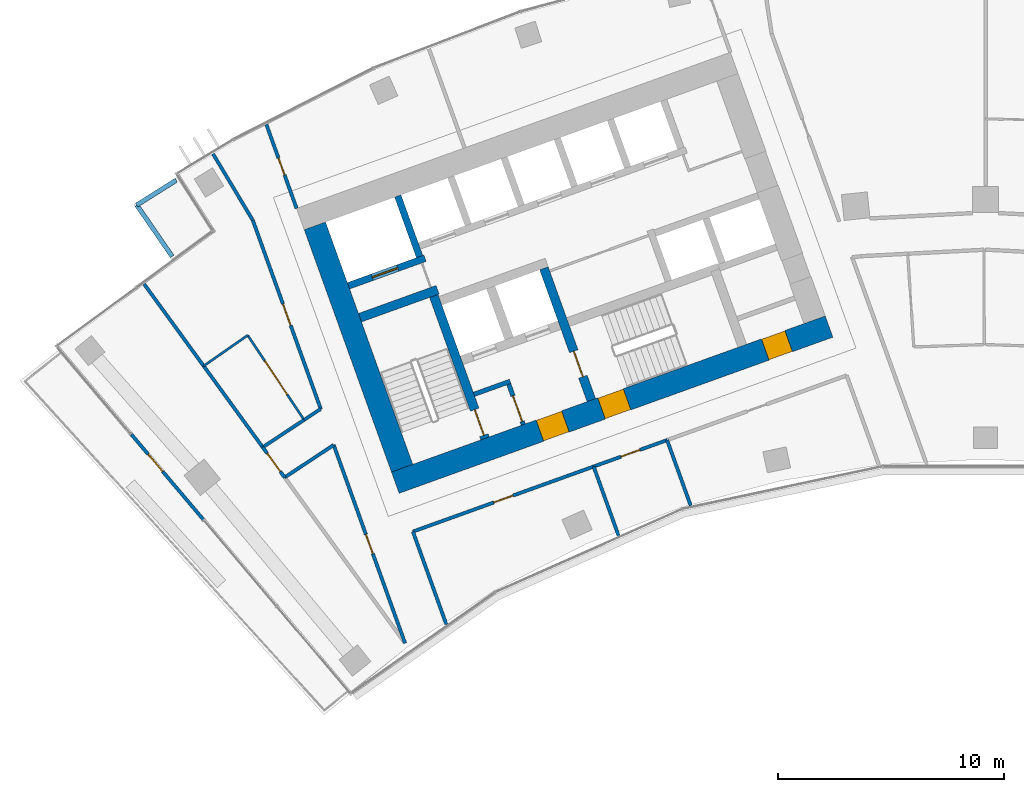
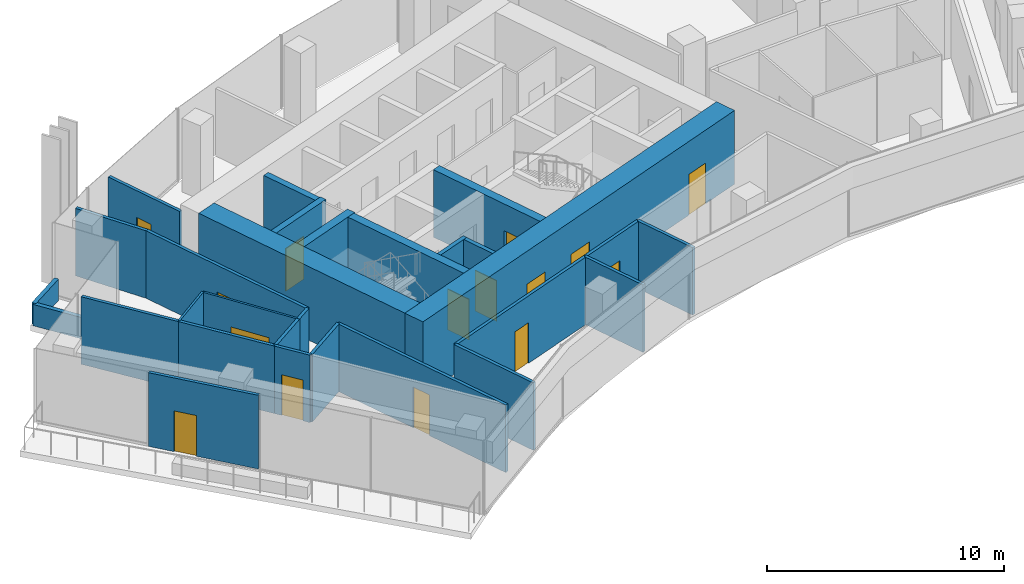
# One storey, part 11 of 18: 29 walls, 15 doors, 15 openings.
"""IFC4 building model written with IfcOpenShell, lengths in metres."""

from ifc_helpers import new_model, si_unit, direction, frame, frame_2d, origin, place, context, subcontext, project, spatial, rectangle, extrude, material, layer, layer_set, type_object, element, fill, save


model = new_model("IFC4")

# Units and contexts
model_context = context("Model", 3, precision=1e-05, world=origin(), true_north=direction((0.0, 1.0)))
body_context = subcontext(model_context, "Body", "Model", "MODEL_VIEW")
ifc_project = project(units=[si_unit("LENGTHUNIT", "METRE"), si_unit("AREAUNIT", "SQUARE_METRE"), si_unit("VOLUMEUNIT", "CUBIC_METRE"), si_unit("PLANEANGLEUNIT", "RADIAN"), si_unit("MASSUNIT", "GRAM", prefix="KILO")], contexts=[model_context])

# Site, building, storey
site_placement = place(None, origin())
site = spatial("IfcSite", under=ifc_project, at=site_placement, CompositionType="ELEMENT")
building_placement = place(site_placement, origin())
building = spatial("IfcBuilding", under=site, at=building_placement, Name="Stone Belt Terrace Tower", CompositionType="ELEMENT")
storey_placement = place(building_placement, frame((0.0, 0.0, 239.0)))
storey = spatial("IfcBuildingStorey", under=building, at=storey_placement, Name="L58", CompositionType="ELEMENT", Elevation=239.0)

# Wall, opening, door
ifc_material_1 = material(Name="Terracotta coloured glazed ceramic", Category="masonry")
ifc_layer_1 = layer(ifc_material_1, 0.14990234375)
ifc_layer_set_1 = layer_set([ifc_layer_1], Name="Ceramic rain-screen wall 150")
wall_type_1 = type_object("IfcWallType", Name="Ceramic rain-screen wall 150", PredefinedType="SOLIDWALL", material=ifc_layer_set_1)
wall_1_placement = place(storey_placement, frame((-37.805908203125, 44.603271484375, 0.0), z_axis=(0.0, 0.0, 1.0), x_axis=(0.645603209133, -0.763673029743, 0.0)))
wall_1 = element("IfcWall", 1, at=wall_1_placement, inside=storey, type_object=wall_type_1, Name="Door wall L58", PredefinedType="SOLIDWALL", context=body_context, shape_type="SweptSolid", body=[
    extrude(rectangle(XDim=4.93994140625, YDim=0.14990234375, at=frame_2d((2.469970703125, 0.0))), origin(), (0.0, 0.0, 1.0), 3.800048828125),
])
opening_1_placement = place(wall_1_placement, frame((1.14990234375, 0.0, 0.0)))
opening_1 = element("IfcOpeningElement", 2, at=opening_1_placement, cuts=wall_1, Name="Opening L58-E01", PredefinedType="OPENING", context=body_context, shape_type="SweptSolid", body=[
    extrude(rectangle(XDim=1.0, YDim=2.10009765625, at=frame_2d((0.5, 1.050048828125))), frame((0.0, 0.0849609375, 0.0), z_axis=(0.0, -1.0, 0.0), x_axis=(1.0, 0.0, 0.0)), (0.0, 0.0, 1.0), 0.169921875),
])
ifc_material_2 = material(Name="Anodised aluminium glazed door", Category="aluminium")
door_type_1 = type_object("IfcDoorType", Name="Terrace door 1000 x 2100", OperationType="NOTDEFINED", PredefinedType="DOOR", material=ifc_material_2)
door_1_placement = place(opening_1_placement, origin())
door_1 = element("IfcDoor", 3, at=door_1_placement, inside=storey, type_object=door_type_1, Name="Terrace door L58", OperationType="SINGLE_SWING_RIGHT", OverallHeight=2.10009765625, OverallWidth=1.0, PredefinedType="DOOR", context=body_context, shape_type="SweptSolid", body=[
    extrude(rectangle(XDim=1.0, YDim=2.10009765625, at=frame_2d((0.5, 1.050048828125))), frame((0.0, 0.02490234375, 0.0), z_axis=(0.0, -1.0, 0.0), x_axis=(1.0, 0.0, 0.0)), (0.0, 0.0, 1.0), 0.050048828125),
])
fill(opening_1, door_1)

# Wall, openings, doors
ifc_material_3 = material(Name="Concrete B60", Category="concrete")
ifc_layer_2 = layer(ifc_material_3, 1.0)
ifc_layer_set_2 = layer_set([ifc_layer_2], Name="Core wall 1000 B60")
wall_type_2 = type_object("IfcWallType", Name="Core wall 1000 B60", PredefinedType="SHEAR", material=ifc_layer_set_2)
wall_2_placement = place(storey_placement, frame((-26.122314453125, 42.462890625, 0.0), z_axis=(0.0, 0.0, 1.0), x_axis=(0.940921428504, 0.338624962727, 0.0)))
wall_2 = element("IfcWall", 4, at=wall_2_placement, inside=storey, type_object=wall_type_2, Name="Core A wall concave L58", PredefinedType="SHEAR", context=body_context, shape_type="SweptSolid", body=[
    extrude(rectangle(XDim=20.400146484375, YDim=1.0, at=frame_2d((10.2001953125, 0.0))), origin(), (0.0, 0.0, 1.0), 3.800048828125),
])
opening_2_placement = place(wall_2_placement, frame((6.800048828125, 0.0, 0.0)))
opening_2 = element("IfcOpeningElement", 5, at=opening_2_placement, cuts=wall_2, Name="Opening L58-C07", PredefinedType="OPENING", context=body_context, shape_type="SweptSolid", body=[
    extrude(rectangle(XDim=1.199951171875, YDim=2.10009765625, at=frame_2d((0.60009765625, 1.050048828125))), frame((0.0, 0.510009765625, 0.0), z_axis=(0.0, -1.0, 0.0), x_axis=(1.0, 0.0, 0.0)), (0.0, 0.0, 1.0), 1.02001953125),
])
opening_3_placement = place(wall_2_placement, frame((9.699951171875, 0.0, 0.0)))
opening_3 = element("IfcOpeningElement", 6, at=opening_3_placement, cuts=wall_2, Name="Opening L58-C09", PredefinedType="OPENING", context=body_context, shape_type="SweptSolid", body=[
    extrude(rectangle(XDim=1.199951171875, YDim=2.10009765625, at=frame_2d((0.60009765625, 1.050048828125))), frame((0.0, 0.510009765625, 0.0), z_axis=(0.0, -1.0, 0.0), x_axis=(1.0, 0.0, 0.0)), (0.0, 0.0, 1.0), 1.02001953125),
])
opening_4_placement = place(wall_2_placement, frame((17.400146484375, 0.0, 0.0)))
opening_4 = element("IfcOpeningElement", 7, at=opening_4_placement, cuts=wall_2, Name="Opening L58-C11", PredefinedType="OPENING", context=body_context, shape_type="SweptSolid", body=[
    extrude(rectangle(XDim=1.10009765625, YDim=2.10009765625, at=frame_2d((0.550048828125, 1.050048828125))), frame((0.0, 0.510009765625, 0.0), z_axis=(0.0, -1.0, 0.0), x_axis=(1.0, 0.0, 0.0)), (0.0, 0.0, 1.0), 1.02001953125),
])
ifc_material_4 = material(Name="Timber door leaf", Category="wood")
door_type_2 = type_object("IfcDoorType", Name="Core room door 1100", OperationType="SINGLE_SWING_LEFT", PredefinedType="DOOR", material=ifc_material_4)
door_2_placement = place(opening_4_placement, origin())
door_2 = element("IfcDoor", 8, at=door_2_placement, inside=storey, type_object=door_type_2, Name="Door to Pipe riser core A", OperationType="SINGLE_SWING_RIGHT", OverallHeight=2.10009765625, OverallWidth=1.10009765625, PredefinedType="DOOR", context=body_context, shape_type="SweptSolid", body=[
    extrude(rectangle(XDim=1.10009765625, YDim=2.10009765625, at=frame_2d((0.550048828125, 1.050048828125))), frame((0.0, 0.47998046875, 0.0), z_axis=(0.0, -1.0, 0.0), x_axis=(1.0, 0.0, 0.0)), (0.0, 0.0, 1.0), 0.9599609375),
])
fill(opening_4, door_2)
ifc_material_5 = material(Name="Steel door leaf", Category="steel")
door_type_3 = type_object("IfcDoorType", Name="Fire-fighting lobby door 1200", OperationType="SINGLE_SWING_LEFT", PredefinedType="DOOR", material=ifc_material_5)
door_3_placement = place(opening_2_placement, origin())
door_3 = element("IfcDoor", 9, at=door_3_placement, inside=storey, type_object=door_type_3, Name="Fire-fighting lobby door core A", OperationType="SINGLE_SWING_RIGHT", OverallHeight=2.10009765625, OverallWidth=1.199951171875, PredefinedType="DOOR", context=body_context, shape_type="SweptSolid", body=[
    extrude(rectangle(XDim=1.199951171875, YDim=2.10009765625, at=frame_2d((0.60009765625, 1.050048828125))), frame((0.0, 0.47998046875, 0.0), z_axis=(0.0, -1.0, 0.0), x_axis=(1.0, 0.0, 0.0)), (0.0, 0.0, 1.0), 0.9599609375),
])
fill(opening_2, door_3)
door_type_4 = type_object("IfcDoorType", Name="Stair door 1200", OperationType="SINGLE_SWING_LEFT", PredefinedType="DOOR", material=ifc_material_5)
door_4_placement = place(opening_3_placement, origin())
door_4 = element("IfcDoor", 10, at=door_4_placement, inside=storey, type_object=door_type_4, Name="Stair 2 exit door core A", OperationType="SINGLE_SWING_LEFT", OverallHeight=2.10009765625, OverallWidth=1.199951171875, PredefinedType="DOOR", context=body_context, shape_type="SweptSolid", body=[
    extrude(rectangle(XDim=1.199951171875, YDim=2.10009765625, at=frame_2d((0.60009765625, 1.050048828125))), frame((0.0, 0.47998046875, 0.0), z_axis=(0.0, -1.0, 0.0), x_axis=(1.0, 0.0, 0.0)), (0.0, 0.0, 1.0), 0.9599609375),
])
fill(opening_3, door_4)

# Wall
wall_3_placement = place(storey_placement, frame((-25.821044921875, 43.102783203125, 0.0), z_axis=(0.0, 0.0, 1.0), x_axis=(-0.338625431531, 0.940921259788, 0.0)))
element("IfcWall", 11, at=wall_3_placement, inside=storey, type_object=wall_type_2, Name="Core A wall end_a L58", PredefinedType="SHEAR", context=body_context, shape_type="SweptSolid", body=[
    extrude(rectangle(XDim=11.400146484375, YDim=1.0, at=frame_2d((5.7001953125, 0.0))), origin(), (0.0, 0.0, 1.0), 3.800048828125),
])

# Wall, opening, door
ifc_material_6 = material(Name="Concrete B80", Category="concrete")
ifc_layer_3 = layer(ifc_material_6, 0.300048828125)
ifc_layer_set_3 = layer_set([ifc_layer_3], Name="Lift shaft wall 300")
wall_type_3 = type_object("IfcWallType", Name="Lift shaft wall 300", PredefinedType="SHEAR", material=ifc_layer_set_3)
wall_4_placement = place(storey_placement, frame((-28.195068359375, 51.17578125, 0.0), z_axis=(0.0, 0.0, 1.0), x_axis=(0.940901243567, 0.338681044427, 0.0)))
wall_4 = element("IfcWall", 12, at=wall_4_placement, inside=storey, type_object=wall_type_3, Name="Core A wall", PredefinedType="SHEAR", context=body_context, shape_type="SweptSolid", body=[
    extrude(rectangle(XDim=3.599853515625, YDim=0.300048828125, at=frame_2d((1.7998046875, 0.0))), origin(), (0.0, 0.0, 1.0), 3.47998046875),
])
opening_5_placement = place(wall_4_placement, frame((1.1201171875, 0.0, 0.0)))
opening_5 = element("IfcOpeningElement", 13, at=opening_5_placement, cuts=wall_4, Name="Opening L58-LD08", PredefinedType="OPENING", context=body_context, shape_type="SweptSolid", body=[
    extrude(rectangle(XDim=1.199951171875, YDim=2.199951171875, at=frame_2d((0.60009765625, 1.10009765625))), frame((0.0, 0.159912109375, 0.0), z_axis=(0.0, -1.0, 0.0), x_axis=(1.0, 0.0, 0.0)), (0.0, 0.0, 1.0), 0.320068359375),
])
ifc_material_7 = material(Name="Stainless steel door leaf", Category="steel")
door_type_5 = type_object("IfcDoorType", Name="Landing door 1200", OperationType="SLIDING_TO_LEFT", PredefinedType="DOOR", material=ifc_material_7)
door_5_placement = place(opening_5_placement, origin())
door_5 = element("IfcDoor", 14, at=door_5_placement, inside=storey, type_object=door_type_5, Name="Landing door SV1 core A", OperationType="SLIDING_TO_LEFT", OverallHeight=2.199951171875, OverallWidth=1.199951171875, PredefinedType="DOOR", context=body_context, shape_type="SweptSolid", body=[
    extrude(rectangle(XDim=1.199951171875, YDim=2.199951171875, at=frame_2d((0.60009765625, 1.10009765625))), frame((0.0, 0.02490234375, 0.0), z_axis=(0.0, -1.0, 0.0), x_axis=(1.0, 0.0, 0.0)), (0.0, 0.0, 1.0), 0.050048828125),
])
fill(opening_5, door_5)

# Wall
wall_5_placement = place(storey_placement, frame((-25.046875, 52.46826171875, 0.0), z_axis=(0.0, 0.0, 1.0), x_axis=(-0.338549588058, 0.940948551423, 0.0)))
element("IfcWall", 15, at=wall_5_placement, inside=storey, type_object=wall_type_3, Name="Core A wall", PredefinedType="SHEAR", context=body_context, shape_type="SweptSolid", body=[
    extrude(rectangle(XDim=2.849853515625, YDim=0.300048828125, at=frame_2d((1.4248046875, 0.0))), origin(), (0.0, 0.0, 1.0), 3.47998046875),
])

# Wall, opening, door
ifc_material_8 = material(Name="Gypsum board partition")
ifc_layer_4 = layer(ifc_material_8, 0.10009765625)
ifc_layer_set_4 = layer_set([ifc_layer_4], Name="PARTITION 100")
wall_type_4 = type_object("IfcWallType", Name="PARTITION 100", PredefinedType="PARTITIONING", material=ifc_layer_set_4)
wall_6_placement = place(storey_placement, frame((-30.159912109375, 45.240966796875, 0.0), z_axis=(0.0, 0.0, 1.0), x_axis=(-0.554700196225, 0.832050294338, 0.0)))
wall_6 = element("IfcWall", 16, at=wall_6_placement, inside=storey, type_object=wall_type_4, Name="L58/wall/i042", PredefinedType="PARTITIONING", context=body_context, shape_type="SweptSolid", body=[
    extrude(rectangle(XDim=4.5, YDim=0.10009765625, at=frame_2d((2.25, 0.0))), origin(), (0.0, 0.0, 1.0), 3.47998046875),
])
opening_6_placement = place(wall_6_placement, frame((1.349853515625, 0.0, 0.0)))
opening_6 = element("IfcOpeningElement", 17, at=opening_6_placement, cuts=wall_6, Name="Opening D-D5-14", PredefinedType="OPENING", context=body_context, shape_type="SweptSolid", body=[
    extrude(rectangle(XDim=1.800048828125, YDim=2.10009765625, at=frame_2d((0.89990234375, 1.050048828125))), frame((0.0, 0.06005859375, 0.0), z_axis=(0.0, -1.0, 0.0), x_axis=(1.0, 0.0, 0.0)), (0.0, 0.0, 1.0), 0.1201171875),
])
door_type_6 = type_object("IfcDoorType", Name="DOUBLE DOOR 1800 X 2100", OperationType="DOUBLE_DOOR_SINGLE_SWING", PredefinedType="DOOR", material=ifc_material_4)
door_6_placement = place(opening_6_placement, origin())
door_6 = element("IfcDoor", 18, at=door_6_placement, inside=storey, type_object=door_type_6, Name="L58/door/i14", OperationType="DOUBLE_DOOR_SINGLE_SWING", OverallHeight=2.10009765625, OverallWidth=1.800048828125, PredefinedType="DOOR", context=body_context, shape_type="SweptSolid", body=[
    extrude(rectangle(XDim=1.800048828125, YDim=2.10009765625, at=frame_2d((0.89990234375, 1.050048828125))), frame((0.0, 0.02490234375, 0.0), z_axis=(0.0, -1.0, 0.0), x_axis=(1.0, 0.0, 0.0)), (0.0, 0.0, 1.0), 0.050048828125),
])
fill(opening_6, door_6)

# Walls
wall_7_placement = place(storey_placement, frame((-32.656005859375, 48.985107421875, 0.0), z_axis=(0.0, 0.0, 1.0), x_axis=(-0.820500477686, -0.571645839762, 0.0)))
element("IfcWall", 19, at=wall_7_placement, inside=storey, type_object=wall_type_4, Name="L58/wall/i043", PredefinedType="PARTITIONING", context=body_context, shape_type="SweptSolid", body=[
    extrude(rectangle(XDim=2.374267578125, YDim=0.10009765625, at=frame_2d((1.18701171875, 0.0))), origin(), (0.0, 0.0, 1.0), 3.47998046875),
])
ifc_layer_5 = layer(ifc_material_8, 0.14990234375)
ifc_layer_set_5 = layer_set([ifc_layer_5], Name="PARTITION 150 EI 60")
wall_type_5 = type_object("IfcWallType", Name="PARTITION 150 EI 60", PredefinedType="PARTITIONING", material=ifc_layer_set_5)
wall_8_placement = place(storey_placement, frame((-25.344970703125, 40.304931640625, 0.0), z_axis=(0.0, 0.0, 1.0), x_axis=(0.338646383094, -0.940913719327, 0.0)))
element("IfcWall", 20, at=wall_8_placement, inside=storey, type_object=wall_type_5, Name="L58/wall/i001", PredefinedType="PARTITIONING", context=body_context, shape_type="SweptSolid", body=[
    extrude(rectangle(XDim=4.376708984375, YDim=0.14990234375, at=frame_2d((2.1884765625, 0.0))), origin(), (0.0, 0.0, 1.0), 3.47998046875),
])

# Wall, opening, door
wall_9_placement = place(storey_placement, frame((-31.826904296875, 58.31298828125, 0.0), z_axis=(0.0, 0.0, 1.0), x_axis=(0.338640575491, -0.940915809534, 0.0)))
wall_9 = element("IfcWall", 21, at=wall_9_placement, inside=storey, type_object=wall_type_5, Name="L58/wall/i002", PredefinedType="PARTITIONING", context=body_context, shape_type="SweptSolid", body=[
    extrude(rectangle(XDim=3.945068359375, YDim=0.14990234375, at=frame_2d((1.97265625, 0.0))), origin(), (0.0, 0.0, 1.0), 3.47998046875),
])
opening_7_placement = place(wall_9_placement, frame((1.572509765625, 0.0, 0.0)))
opening_7 = element("IfcOpeningElement", 22, at=opening_7_placement, cuts=wall_9, Name="Opening D-D5-04", PredefinedType="OPENING", context=body_context, shape_type="SweptSolid", body=[
    extrude(rectangle(XDim=0.800048828125, YDim=2.10009765625, at=frame_2d((0.39990234375, 1.050048828125))), frame((0.0, 0.0849609375, 0.0), z_axis=(0.0, -1.0, 0.0), x_axis=(1.0, 0.0, 0.0)), (0.0, 0.0, 1.0), 0.169921875),
])
door_type_7 = type_object("IfcDoorType", Name="STORE DOOR 800 X 2100", OperationType="NOTDEFINED", PredefinedType="DOOR", material=ifc_material_4)
door_7_placement = place(opening_7_placement, origin())
door_7 = element("IfcDoor", 23, at=door_7_placement, inside=storey, type_object=door_type_7, Name="L58/door/i04", OperationType="SINGLE_SWING_LEFT", OverallHeight=2.10009765625, OverallWidth=0.800048828125, PredefinedType="DOOR", context=body_context, shape_type="SweptSolid", body=[
    extrude(rectangle(XDim=0.800048828125, YDim=2.10009765625, at=frame_2d((0.39990234375, 1.050048828125))), frame((0.0, 0.02490234375, 0.0), z_axis=(0.0, -1.0, 0.0), x_axis=(1.0, 0.0, 0.0)), (0.0, 0.0, 1.0), 0.050048828125),
])
fill(opening_7, door_7)

wall_10_placement = place(storey_placement, frame((-25.69091796875, 35.35791015625, 0.0), z_axis=(0.0, 0.0, 1.0), x_axis=(-0.338657394617, 0.940909756072, 0.0)))
wall_10 = element("IfcWall", 24, at=wall_10_placement, inside=storey, type_object=wall_type_5, Name="L58/wall/i003", PredefinedType="PARTITIONING", context=body_context, shape_type="SweptSolid", body=[
    extrude(rectangle(XDim=9.33154296875, YDim=0.14990234375, at=frame_2d((4.665771484375, 0.0))), origin(), (0.0, 0.0, 1.0), 3.47998046875),
])
opening_8_placement = place(wall_10_placement, frame((4.215576171875, 0.0, 0.0)))
opening_8 = element("IfcOpeningElement", 25, at=opening_8_placement, cuts=wall_10, Name="Opening D-D5-12", PredefinedType="OPENING", context=body_context, shape_type="SweptSolid", body=[
    extrude(rectangle(XDim=0.89990234375, YDim=2.10009765625, at=frame_2d((0.449951171875, 1.050048828125))), frame((0.0, 0.0849609375, 0.0), z_axis=(0.0, -1.0, 0.0), x_axis=(1.0, 0.0, 0.0)), (0.0, 0.0, 1.0), 0.169921875),
])
door_type_8 = type_object("IfcDoorType", Name="OFFICE DOOR 900 X 2100", OperationType="NOTDEFINED", PredefinedType="DOOR", material=ifc_material_4)
door_8_placement = place(opening_8_placement, origin())
door_8 = element("IfcDoor", 26, at=door_8_placement, inside=storey, type_object=door_type_8, Name="L58/door/i12", OperationType="SINGLE_SWING_RIGHT", OverallHeight=2.10009765625, OverallWidth=0.89990234375, PredefinedType="DOOR", context=body_context, shape_type="SweptSolid", body=[
    extrude(rectangle(XDim=0.89990234375, YDim=2.10009765625, at=frame_2d((0.449951171875, 1.050048828125))), frame((0.0, 0.02490234375, 0.0), z_axis=(0.0, -1.0, 0.0), x_axis=(1.0, 0.0, 0.0)), (0.0, 0.0, 1.0), 0.050048828125),
])
fill(opening_8, door_8)

wall_11_placement = place(storey_placement, frame((-29.4208984375, 45.721923828125, 0.0), z_axis=(0.0, 0.0, 1.0), x_axis=(-0.338710707115, 0.94089056584, 0.0)))
wall_11 = element("IfcWall", 27, at=wall_11_placement, inside=storey, type_object=wall_type_5, Name="L58/wall/i004", PredefinedType="PARTITIONING", context=body_context, shape_type="SweptSolid", body=[
    extrude(rectangle(XDim=8.880859375, YDim=0.14990234375, at=frame_2d((4.4404296875, 0.0))), origin(), (0.0, 0.0, 1.0), 3.47998046875),
])
opening_9_placement = place(wall_11_placement, frame((3.9404296875, 0.0, 0.0)))
opening_9 = element("IfcOpeningElement", 28, at=opening_9_placement, cuts=wall_11, Name="Opening D-D5-13", PredefinedType="OPENING", context=body_context, shape_type="SweptSolid", body=[
    extrude(rectangle(XDim=1.0, YDim=2.10009765625, at=frame_2d((0.5, 1.050048828125))), frame((0.0, 0.0849609375, 0.0), z_axis=(0.0, -1.0, 0.0), x_axis=(1.0, 0.0, 0.0)), (0.0, 0.0, 1.0), 0.169921875),
])
ifc_material_9 = material(Name="Timber fire door leaf", Category="wood")
door_type_9 = type_object("IfcDoorType", Name="TENANCY ENTRANCE DOOR 1000 X 2100", OperationType="NOTDEFINED", PredefinedType="DOOR", material=ifc_material_9)
door_9_placement = place(opening_9_placement, origin())
door_9 = element("IfcDoor", 29, at=door_9_placement, inside=storey, type_object=door_type_9, Name="L58/door/i13", OperationType="SINGLE_SWING_RIGHT", OverallHeight=2.10009765625, OverallWidth=1.0, PredefinedType="DOOR", context=body_context, shape_type="SweptSolid", body=[
    extrude(rectangle(XDim=1.0, YDim=2.10009765625, at=frame_2d((0.5, 1.050048828125))), frame((0.0, 0.02490234375, 0.0), z_axis=(0.0, -1.0, 0.0), x_axis=(1.0, 0.0, 0.0)), (0.0, 0.0, 1.0), 0.050048828125),
])
fill(opening_9, door_9)

# Wall
wall_12_placement = place(storey_placement, frame((-32.428955078125, 54.077880859375, 0.0), z_axis=(0.0, 0.0, 1.0), x_axis=(-0.514254922229, 0.857637379644, 0.0)))
element("IfcWall", 30, at=wall_12_placement, inside=storey, type_object=wall_type_5, Name="L58/wall/i005", PredefinedType="PARTITIONING", context=body_context, shape_type="SweptSolid", body=[
    extrude(rectangle(XDim=3.42919921875, YDim=0.14990234375, at=frame_2d((1.714599609375, 0.0))), origin(), (0.0, 0.0, 1.0), 3.47998046875),
])

# Wall, opening, door
wall_13_placement = place(storey_placement, frame((-17.337890625, 43.179931640625, 0.0), z_axis=(0.0, 0.0, 1.0), x_axis=(-0.940924353827, -0.338616834157, 0.0)))
wall_13 = element("IfcWall", 31, at=wall_13_placement, inside=storey, type_object=wall_type_5, Name="L58/wall/i011", PredefinedType="PARTITIONING", context=body_context, shape_type="SweptSolid", body=[
    extrude(rectangle(XDim=8.5078125, YDim=0.14990234375, at=frame_2d((4.25390625, 0.0))), origin(), (0.0, 0.0, 1.0), 3.47998046875),
])
opening_10_placement = place(wall_13_placement, frame((3.8037109375, 0.0, 0.0)))
opening_10 = element("IfcOpeningElement", 32, at=opening_10_placement, cuts=wall_13, Name="Opening D-D5-01", PredefinedType="OPENING", context=body_context, shape_type="SweptSolid", body=[
    extrude(rectangle(XDim=0.89990234375, YDim=2.10009765625, at=frame_2d((0.449951171875, 1.050048828125))), frame((0.0, 0.0849609375, 0.0), z_axis=(0.0, -1.0, 0.0), x_axis=(1.0, 0.0, 0.0)), (0.0, 0.0, 1.0), 0.169921875),
])
door_10_placement = place(opening_10_placement, origin())
door_10 = element("IfcDoor", 33, at=door_10_placement, inside=storey, type_object=door_type_8, Name="L58/door/i01", OperationType="SINGLE_SWING_RIGHT", OverallHeight=2.10009765625, OverallWidth=0.89990234375, PredefinedType="DOOR", context=body_context, shape_type="SweptSolid", body=[
    extrude(rectangle(XDim=0.89990234375, YDim=2.10009765625, at=frame_2d((0.449951171875, 1.050048828125))), frame((0.0, 0.02490234375, 0.0), z_axis=(0.0, -1.0, 0.0), x_axis=(1.0, 0.0, 0.0)), (0.0, 0.0, 1.0), 0.050048828125),
])
fill(opening_10, door_10)

wall_14_placement = place(storey_placement, frame((-14.087890625, 44.35009765625, 0.0), z_axis=(0.0, 0.0, 1.0), x_axis=(-0.940917031446, -0.338637180379, 0.0)))
wall_14 = element("IfcWall", 34, at=wall_14_placement, inside=storey, type_object=wall_type_5, Name="L58/wall/i012", PredefinedType="PARTITIONING", context=body_context, shape_type="SweptSolid", body=[
    extrude(rectangle(XDim=3.467041015625, YDim=0.14990234375, at=frame_2d((1.7333984375, 0.0))), origin(), (0.0, 0.0, 1.0), 3.47998046875),
])
opening_11_placement = place(wall_14_placement, frame((1.283447265625, 0.0, 0.0)))
opening_11 = element("IfcOpeningElement", 35, at=opening_11_placement, cuts=wall_14, Name="Opening D-D5-02", PredefinedType="OPENING", context=body_context, shape_type="SweptSolid", body=[
    extrude(rectangle(XDim=0.89990234375, YDim=2.10009765625, at=frame_2d((0.449951171875, 1.050048828125))), frame((0.0, 0.0849609375, 0.0), z_axis=(0.0, -1.0, 0.0), x_axis=(1.0, 0.0, 0.0)), (0.0, 0.0, 1.0), 0.169921875),
])
door_11_placement = place(opening_11_placement, origin())
door_11 = element("IfcDoor", 36, at=door_11_placement, inside=storey, type_object=door_type_8, Name="L58/door/i02", OperationType="SINGLE_SWING_RIGHT", OverallHeight=2.10009765625, OverallWidth=0.89990234375, PredefinedType="DOOR", context=body_context, shape_type="SweptSolid", body=[
    extrude(rectangle(XDim=0.89990234375, YDim=2.10009765625, at=frame_2d((0.449951171875, 1.050048828125))), frame((0.0, 0.02490234375, 0.0), z_axis=(0.0, -1.0, 0.0), x_axis=(1.0, 0.0, 0.0)), (0.0, 0.0, 1.0), 0.050048828125),
])
fill(opening_11, door_11)

# Walls
wall_15_placement = place(storey_placement, frame((-17.343994140625, 43.177978515625, 0.0), z_axis=(0.0, 0.0, 1.0), x_axis=(0.338631589887, -0.940919043452, 0.0)))
element("IfcWall", 37, at=wall_15_placement, inside=storey, type_object=wall_type_5, Name="L58/wall/i014", PredefinedType="PARTITIONING", context=body_context, shape_type="SweptSolid", body=[
    extrude(rectangle(XDim=3.24658203125, YDim=0.14990234375, at=frame_2d((1.623291015625, 0.0))), origin(), (0.0, 0.0, 1.0), 3.47998046875),
])
wall_16_placement = place(storey_placement, frame((-14.093994140625, 44.347900390625, 0.0), z_axis=(0.0, 0.0, 1.0), x_axis=(0.3387588166, -0.940873245542, 0.0)))
element("IfcWall", 38, at=wall_16_placement, inside=storey, type_object=wall_type_5, Name="L58/wall/i015", PredefinedType="PARTITIONING", context=body_context, shape_type="SweptSolid", body=[
    extrude(rectangle(XDim=3.075927734375, YDim=0.14990234375, at=frame_2d((1.5380859375, 0.0))), origin(), (0.0, 0.0, 1.0), 3.47998046875),
])

# Wall, opening, door
wall_17_placement = place(storey_placement, frame((-31.01708984375, 42.69091796875, 0.0), z_axis=(0.0, 0.0, 1.0), x_axis=(-0.587254038937, 0.809402677134, 0.0)))
wall_17 = element("IfcWall", 39, at=wall_17_placement, inside=storey, type_object=wall_type_5, Name="L58/wall/i035", PredefinedType="PARTITIONING", context=body_context, shape_type="SweptSolid", body=[
    extrude(rectangle(XDim=1.66162109375, YDim=0.14990234375, at=frame_2d((0.830810546875, 0.0))), origin(), (0.0, 0.0, 1.0), 3.47998046875),
])
opening_12_placement = place(wall_17_placement, frame((0.330810546875, 0.0, 0.0)))
opening_12 = element("IfcOpeningElement", 40, at=opening_12_placement, cuts=wall_17, Name="Opening D-D5-11", PredefinedType="OPENING", context=body_context, shape_type="SweptSolid", body=[
    extrude(rectangle(XDim=1.0, YDim=2.10009765625, at=frame_2d((0.5, 1.050048828125))), frame((0.0, 0.0849609375, 0.0), z_axis=(0.0, -1.0, 0.0), x_axis=(1.0, 0.0, 0.0)), (0.0, 0.0, 1.0), 0.169921875),
])
door_12_placement = place(opening_12_placement, origin())
door_12 = element("IfcDoor", 41, at=door_12_placement, inside=storey, type_object=door_type_9, Name="L58/door/i11", OperationType="SINGLE_SWING_RIGHT", OverallHeight=2.10009765625, OverallWidth=1.0, PredefinedType="DOOR", context=body_context, shape_type="SweptSolid", body=[
    extrude(rectangle(XDim=1.0, YDim=2.10009765625, at=frame_2d((0.5, 1.050048828125))), frame((0.0, 0.02490234375, 0.0), z_axis=(0.0, -1.0, 0.0), x_axis=(1.0, 0.0, 0.0)), (0.0, 0.0, 1.0), 0.050048828125),
])
fill(opening_12, door_12)

# Walls
wall_18_placement = place(storey_placement, frame((-37.23876953125, 51.2548828125, 0.0), z_axis=(0.0, 0.0, 1.0), x_axis=(0.587783591911, -0.80901820071, 0.0)))
element("IfcWall", 42, at=wall_18_placement, inside=storey, type_object=wall_type_5, Name="L58/wall/i037", PredefinedType="PARTITIONING", context=body_context, shape_type="SweptSolid", body=[
    extrude(rectangle(XDim=4.4892578125, YDim=0.14990234375, at=frame_2d((2.24462890625, 0.0))), origin(), (0.0, 0.0, 1.0), 3.47998046875),
])
wall_19_placement = place(storey_placement, frame((-34.60693359375, 47.633056640625, 0.0), z_axis=(0.0, 0.0, 1.0), x_axis=(0.587653851754, -0.809112446153, 0.0)))
element("IfcWall", 43, at=wall_19_placement, inside=storey, type_object=wall_type_5, Name="L58/wall/i038", PredefinedType="PARTITIONING", context=body_context, shape_type="SweptSolid", body=[
    extrude(rectangle(XDim=4.458251953125, YDim=0.14990234375, at=frame_2d((2.22900390625, 0.0))), origin(), (0.0, 0.0, 1.0), 3.47998046875),
])
wall_20_placement = place(storey_placement, frame((-28.84912109375, 44.132080078125, 0.0), z_axis=(0.0, 0.0, 1.0), x_axis=(-0.834036299229, -0.551709571757, 0.0)))
element("IfcWall", 44, at=wall_20_placement, inside=storey, type_object=wall_type_5, Name="L58/wall/i039", PredefinedType="PARTITIONING", context=body_context, shape_type="SweptSolid", body=[
    extrude(rectangle(XDim=2.602783203125, YDim=0.14990234375, at=frame_2d((1.30126953125, 0.0))), origin(), (0.0, 0.0, 1.0), 3.47998046875),
])
wall_21_placement = place(storey_placement, frame((-30.1650390625, 45.238037109375, 0.0), z_axis=(0.0, 0.0, 1.0), x_axis=(0.834450315491, 0.551083179727, 0.0)))
element("IfcWall", 45, at=wall_21_placement, inside=storey, type_object=wall_type_5, Name="L58/wall/i040", PredefinedType="PARTITIONING", context=body_context, shape_type="SweptSolid", body=[
    extrude(rectangle(XDim=0.88916015625, YDim=0.14990234375, at=frame_2d((0.444580078125, 0.0))), origin(), (0.0, 0.0, 1.0), 3.47998046875),
])
wall_22_placement = place(storey_placement, frame((-31.989990234375, 44.031005859375, 0.0), z_axis=(0.0, 0.0, 1.0), x_axis=(0.834229559366, 0.551417303211, 0.0)))
element("IfcWall", 46, at=wall_22_placement, inside=storey, type_object=wall_type_5, Name="L58/wall/i041", PredefinedType="PARTITIONING", context=body_context, shape_type="SweptSolid", body=[
    extrude(rectangle(XDim=2.19970703125, YDim=0.14990234375, at=frame_2d((1.099853515625, 0.0))), origin(), (0.0, 0.0, 1.0), 3.47998046875),
])
ifc_material_10 = material(Name="Concrete masonry block", Category="masonry")
ifc_layer_6 = layer(ifc_material_10, 0.199951171875)
ifc_layer_set_6 = layer_set([ifc_layer_6], Name="Rated lobby wall 200")
wall_type_6 = type_object("IfcWallType", Name="Rated lobby wall 200", PredefinedType="PARTITIONING", material=ifc_layer_set_6)
wall_23_placement = place(storey_placement, frame((-22.640625, 46.373046875, 0.0), z_axis=(0.0, 0.0, 1.0), x_axis=(0.940966110313, 0.338500781747, 0.0)))
element("IfcWall", 47, at=wall_23_placement, inside=storey, type_object=wall_type_6, Name="Core A wall", PredefinedType="PARTITIONING", context=body_context, shape_type="SweptSolid", body=[
    extrude(rectangle(XDim=1.699951171875, YDim=0.199951171875, at=frame_2d((0.85009765625, 0.0))), origin(), (0.0, 0.0, 1.0), 3.47998046875),
])

# Wall, opening, door
wall_24_placement = place(storey_placement, frame((-20.4580078125, 45.032958984375, 0.0), z_axis=(0.0, 0.0, 1.0), x_axis=(-0.338573865316, 0.940939816208, 0.0)))
wall_24 = element("IfcWall", 48, at=wall_24_placement, inside=storey, type_object=wall_type_6, Name="Core A wall", PredefinedType="PARTITIONING", context=body_context, shape_type="SweptSolid", body=[
    extrude(rectangle(XDim=1.900146484375, YDim=0.199951171875, at=frame_2d((0.9501953125, 0.0))), origin(), (0.0, 0.0, 1.0), 3.47998046875),
])
opening_13_placement = place(wall_24_placement, frame((0.14990234375, 0.0, 0.0)))
opening_13 = element("IfcOpeningElement", 49, at=opening_13_placement, cuts=wall_24, Name="Opening L58-C06", PredefinedType="OPENING", context=body_context, shape_type="SweptSolid", body=[
    extrude(rectangle(XDim=1.199951171875, YDim=2.10009765625, at=frame_2d((0.60009765625, 1.050048828125))), frame((0.0, 0.10986328125, 0.0), z_axis=(0.0, -1.0, 0.0), x_axis=(1.0, 0.0, 0.0)), (0.0, 0.0, 1.0), 0.219970703125),
])
door_13_placement = place(opening_13_placement, origin())
door_13 = element("IfcDoor", 50, at=door_13_placement, inside=storey, type_object=door_type_4, Name="Stair airlock door core A", OperationType="SINGLE_SWING_RIGHT", OverallHeight=2.10009765625, OverallWidth=1.199951171875, PredefinedType="DOOR", context=body_context, shape_type="SweptSolid", body=[
    extrude(rectangle(XDim=1.199951171875, YDim=2.10009765625, at=frame_2d((0.60009765625, 1.050048828125))), frame((0.0, 0.02490234375, 0.0), z_axis=(0.0, -1.0, 0.0), x_axis=(1.0, 0.0, 0.0)), (0.0, 0.0, 1.0), 0.050048828125),
])
fill(opening_13, door_13)

# Walls
ifc_material_11 = material(Name="Precast concrete C40/50", Category="concrete")
ifc_layer_7 = layer(ifc_material_11, 0.199951171875)
ifc_layer_set_7 = layer_set([ifc_layer_7], Name="Roof parapet 200 x 1100")
wall_type_7 = type_object("IfcWallType", Name="Roof parapet 200 x 1100", PredefinedType="PARAPET", material=ifc_layer_set_7)
wall_25_placement = place(storey_placement, frame((-37.563232421875, 54.748779296875, 0.0), z_axis=(0.0, 0.0, 1.0), x_axis=(0.567002262585, -0.823716234041, 0.0)))
element("IfcWall", 51, at=wall_25_placement, inside=storey, type_object=wall_type_7, Name="PARAPET L58", PredefinedType="PARAPET", context=body_context, shape_type="SweptSolid", body=[
    extrude(rectangle(XDim=2.757080078125, YDim=0.199951171875, at=frame_2d((1.37841796875, 0.0))), origin(), (0.0, 0.0, 1.0), 1.10009765625),
])
wall_26_placement = place(storey_placement, frame((-35.818115234375, 55.850830078125, 0.0), z_axis=(0.0, 0.0, 1.0), x_axis=(-0.845517009713, -0.533948486548, 0.0)))
element("IfcWall", 52, at=wall_26_placement, inside=storey, type_object=wall_type_7, Name="PARAPET L58", PredefinedType="PARAPET", context=body_context, shape_type="SweptSolid", body=[
    extrude(rectangle(XDim=2.06396484375, YDim=0.199951171875, at=frame_2d((1.031982421875, 0.0))), origin(), (0.0, 0.0, 1.0), 1.10009765625),
])
ifc_layer_8 = layer(ifc_material_6, 0.39990234375)
ifc_layer_set_8 = layer_set([ifc_layer_8], Name="Stair enclosure wall 400")
wall_type_8 = type_object("IfcWallType", Name="Stair enclosure wall 400", PredefinedType="SHEAR", material=ifc_layer_set_8)
wall_27_placement = place(storey_placement, frame((-27.687255859375, 49.764404296875, 0.0), z_axis=(0.0, 0.0, 1.0), x_axis=(0.940918954884, 0.338631835981, 0.0)))
element("IfcWall", 53, at=wall_27_placement, inside=storey, type_object=wall_type_8, Name="Core A wall", PredefinedType="SHEAR", context=body_context, shape_type="SweptSolid", body=[
    extrude(rectangle(XDim=3.650146484375, YDim=0.39990234375, at=frame_2d((1.8251953125, 0.0))), origin(), (0.0, 0.0, 1.0), 3.47998046875),
])

# Wall, opening, door
wall_28_placement = place(storey_placement, frame((-22.151611328125, 44.42333984375, 0.0), z_axis=(0.0, 0.0, 1.0), x_axis=(-0.338625272931, 0.940921316866, 0.0)))
wall_28 = element("IfcWall", 54, at=wall_28_placement, inside=storey, type_object=wall_type_8, Name="Core A wall", PredefinedType="SHEAR", context=body_context, shape_type="SweptSolid", body=[
    extrude(rectangle(XDim=6.699951171875, YDim=0.39990234375, at=frame_2d((3.35009765625, 0.0))), origin(), (0.0, 0.0, 1.0), 3.47998046875),
])
opening_14_placement = place(wall_28_placement, frame((0.14990234375, 0.0, 0.0)))
opening_14 = element("IfcOpeningElement", 55, at=opening_14_placement, cuts=wall_28, Name="Opening L58-C05", PredefinedType="OPENING", context=body_context, shape_type="SweptSolid", body=[
    extrude(rectangle(XDim=1.199951171875, YDim=2.10009765625, at=frame_2d((0.60009765625, 1.050048828125))), frame((0.0, 0.2099609375, 0.0), z_axis=(0.0, -1.0, 0.0), x_axis=(1.0, 0.0, 0.0)), (0.0, 0.0, 1.0), 0.419921875),
])
door_14_placement = place(opening_14_placement, origin())
door_14 = element("IfcDoor", 56, at=door_14_placement, inside=storey, type_object=door_type_4, Name="Stair 1 door core A", OperationType="SINGLE_SWING_RIGHT", OverallHeight=2.10009765625, OverallWidth=1.199951171875, PredefinedType="DOOR", context=body_context, shape_type="SweptSolid", body=[
    extrude(rectangle(XDim=1.199951171875, YDim=2.10009765625, at=frame_2d((0.60009765625, 1.050048828125))), frame((0.0, 0.02490234375, 0.0), z_axis=(0.0, -1.0, 0.0), x_axis=(1.0, 0.0, 0.0)), (0.0, 0.0, 1.0), 0.050048828125),
])
fill(opening_14, door_14)

wall_29_placement = place(storey_placement, frame((-17.447021484375, 46.116455078125, 0.0), z_axis=(0.0, 0.0, 1.0), x_axis=(-0.33860791464, 0.940927563707, 0.0)))
wall_29 = element("IfcWall", 57, at=wall_29_placement, inside=storey, type_object=wall_type_8, Name="Core A wall", PredefinedType="SHEAR", context=body_context, shape_type="SweptSolid", body=[
    extrude(rectangle(XDim=6.199951171875, YDim=0.39990234375, at=frame_2d((3.10009765625, 0.0))), origin(), (0.0, 0.0, 1.0), 3.47998046875),
])
opening_15_placement = place(wall_29_placement, frame((1.10009765625, 0.0, 0.0)))
opening_15 = element("IfcOpeningElement", 58, at=opening_15_placement, cuts=wall_29, Name="Opening L58-C08", PredefinedType="OPENING", context=body_context, shape_type="SweptSolid", body=[
    extrude(rectangle(XDim=1.199951171875, YDim=2.10009765625, at=frame_2d((0.60009765625, 1.050048828125))), frame((0.0, 0.2099609375, 0.0), z_axis=(0.0, -1.0, 0.0), x_axis=(1.0, 0.0, 0.0)), (0.0, 0.0, 1.0), 0.419921875),
])
door_15_placement = place(opening_15_placement, origin())
door_15 = element("IfcDoor", 59, at=door_15_placement, inside=storey, type_object=door_type_4, Name="Stair 2 door core A", OperationType="SINGLE_SWING_RIGHT", OverallHeight=2.10009765625, OverallWidth=1.199951171875, PredefinedType="DOOR", context=body_context, shape_type="SweptSolid", body=[
    extrude(rectangle(XDim=1.199951171875, YDim=2.10009765625, at=frame_2d((0.60009765625, 1.050048828125))), frame((0.0, 0.02490234375, 0.0), z_axis=(0.0, -1.0, 0.0), x_axis=(1.0, 0.0, 0.0)), (0.0, 0.0, 1.0), 0.050048828125),
])
fill(opening_15, door_15)

save(model, "model.ifc")
